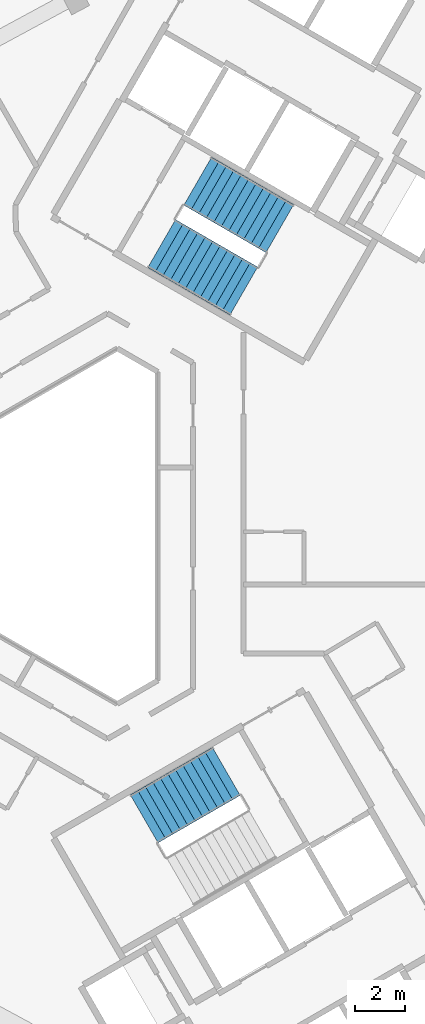
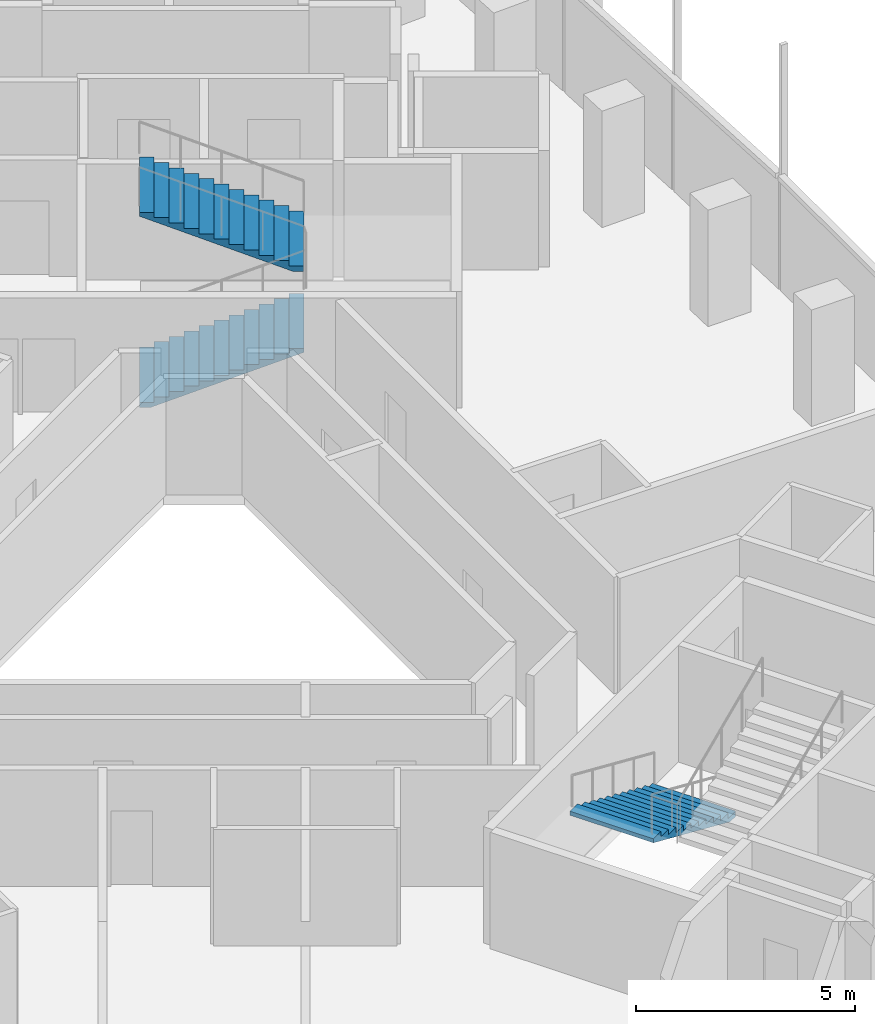
# One storey, part 11 of 14: 3 stair flights, 2 elements without a shape of their own.
"""IFC4 building model written with IfcOpenShell, lengths in metres."""

from ifc_helpers import new_model, si_unit, direction, frame, origin, place, context, subcontext, project, spatial, polyline, outline, extrude, material, type_object, element, aggregate, save


model = new_model("IFC4")

# Units and contexts
model_context = context("Model", 3, precision=1e-05, world=origin(), true_north=direction((0.0, 1.0)))
body_context = subcontext(model_context, "Body", "Model", "MODEL_VIEW")
ifc_project = project(units=[si_unit("LENGTHUNIT", "METRE"), si_unit("AREAUNIT", "SQUARE_METRE"), si_unit("VOLUMEUNIT", "CUBIC_METRE"), si_unit("PLANEANGLEUNIT", "RADIAN"), si_unit("MASSUNIT", "GRAM", prefix="KILO")], contexts=[model_context])

# Site, building, storey
site_placement = place(None, origin())
site = spatial("IfcSite", under=ifc_project, at=site_placement, CompositionType="ELEMENT")
building_placement = place(site_placement, origin())
building = spatial("IfcBuilding", under=site, at=building_placement, Name="Tamra Quay Hotel Tower", CompositionType="ELEMENT")
storey_placement = place(building_placement, frame((0.0, 0.0, 175.60009765625)))
storey = spatial("IfcBuildingStorey", under=building, at=storey_placement, Name="L43", CompositionType="ELEMENT", Elevation=175.60009765625)

# Stair, stair flights
ifc_material_1 = material(Name="Exit stair 2200 24 risers 150.0 going 342")
stair_type = type_object("IfcStairType", Name="Exit stair 2200 24 risers 150.0 going 342", PredefinedType="HALF_TURN_STAIR", material=ifc_material_1)
stair_1_placement = place(storey_placement, origin())
stair_1 = element("IfcStair", 1, at=stair_1_placement, inside=storey, type_object=stair_type, Name="L43 Exit stair ST1", PredefinedType="HALF_TURN_STAIR")
ifc_material_2 = material(Name="Exit stair flight 2200 12 risers 150.0")
stair_flight_type = type_object("IfcStairFlightType", Name="Exit stair flight 2200 12 risers 150.0", PredefinedType="STRAIGHT", material=ifc_material_2)
stair_flight_1_placement = place(storey_placement, frame((4.75927734375, 11.20361328125, 0.0), z_axis=(0.0, 0.0, 1.0), x_axis=(0.866025403784, -0.5, 0.0)))
stair_flight_1 = element("IfcStairFlight", 2, at=stair_flight_1_placement, type_object=stair_flight_type, Name="ST1 flight 1", NumberOfRisers=12, NumberOfTreads=11, PredefinedType="STRAIGHT", RiserHeight=0.15, TreadLength=0.342, context=body_context, shape_type="SweptSolid", body=[
    extrude(outline(polyline([(0.0, 0.0), (0.0, 0.14990234375), (0.342041015625, 0.14990234375), (0.342041015625, 0.300048828125), (0.68408203125, 0.300048828125), (0.68408203125, 0.449951171875), (1.02587890625, 0.449951171875), (1.02587890625, 0.60009765625), (1.367919921875, 0.60009765625), (1.367919921875, 0.75), (1.7099609375, 0.75), (1.7099609375, 0.89990234375), (2.052001953125, 0.89990234375), (2.052001953125, 1.050048828125), (2.39404296875, 1.050048828125), (2.39404296875, 1.199951171875), (2.736083984375, 1.199951171875), (2.736083984375, 1.35009765625), (3.077880859375, 1.35009765625), (3.077880859375, 1.5), (3.419921875, 1.5), (3.419921875, 1.64990234375), (3.761962890625, 1.64990234375), (3.761962890625, 1.800048828125), (3.761962890625, 1.540771484375), (0.249267578125, 0.0), (0.0, 0.0)])), frame((0.0, 1.10009765625, 0.0), z_axis=(0.0, -1.0, 0.0), x_axis=(1.0, 0.0, 0.0)), (0.0, 0.0, 1.0), 2.199951171875),
])
stair_flight_2_placement = place(storey_placement, frame((9.44677734375, 11.798583984375, 1.7998046875), z_axis=(0.0, 0.0, 1.0), x_axis=(-0.866025403784, 0.5, 0.0)))
stair_flight_2 = element("IfcStairFlight", 3, at=stair_flight_2_placement, type_object=stair_flight_type, Name="ST1 flight 2", NumberOfRisers=12, NumberOfTreads=11, PredefinedType="STRAIGHT", RiserHeight=0.15, TreadLength=0.342, context=body_context, shape_type="SweptSolid", body=[
    extrude(outline(polyline([(0.0, 0.0), (0.0, 0.14990234375), (0.342041015625, 0.14990234375), (0.342041015625, 0.300048828125), (0.68408203125, 0.300048828125), (0.68408203125, 0.449951171875), (1.02587890625, 0.449951171875), (1.02587890625, 0.60009765625), (1.367919921875, 0.60009765625), (1.367919921875, 0.75), (1.7099609375, 0.75), (1.7099609375, 0.89990234375), (2.052001953125, 0.89990234375), (2.052001953125, 1.050048828125), (2.39404296875, 1.050048828125), (2.39404296875, 1.199951171875), (2.736083984375, 1.199951171875), (2.736083984375, 1.35009765625), (3.077880859375, 1.35009765625), (3.077880859375, 1.5), (3.419921875, 1.5), (3.419921875, 1.64990234375), (3.761962890625, 1.64990234375), (3.761962890625, 1.800048828125), (3.761962890625, 1.540771484375), (0.249267578125, 0.0), (0.0, 0.0)])), frame((0.0, 1.10009765625, 0.0), z_axis=(0.0, -1.0, 0.0), x_axis=(1.0, 0.0, 0.0)), (0.0, 0.0, 1.0), 2.199951171875),
])
aggregate(stair_1, [stair_flight_1, stair_flight_2])

# Stair, stair flight
stair_2_placement = place(storey_placement, origin())
stair_2 = element("IfcStair", 4, at=stair_2_placement, inside=storey, type_object=stair_type, Name="L43 Exit stair ST2", PredefinedType="HALF_TURN_STAIR")
stair_flight_3_placement = place(storey_placement, frame((7.322998046875, -9.7236328125, 0.0), z_axis=(0.0, 0.0, 1.0), x_axis=(-0.866025403784, -0.5, 0.0)))
stair_flight_3 = element("IfcStairFlight", 5, at=stair_flight_3_placement, type_object=stair_flight_type, Name="ST2 flight 1", NumberOfRisers=12, NumberOfTreads=11, PredefinedType="STRAIGHT", RiserHeight=0.15, TreadLength=0.342, context=body_context, shape_type="SweptSolid", body=[
    extrude(outline(polyline([(0.0, 0.0), (0.0, 0.14990234375), (0.342041015625, 0.14990234375), (0.342041015625, 0.300048828125), (0.68408203125, 0.300048828125), (0.68408203125, 0.449951171875), (1.02587890625, 0.449951171875), (1.02587890625, 0.60009765625), (1.367919921875, 0.60009765625), (1.367919921875, 0.75), (1.7099609375, 0.75), (1.7099609375, 0.89990234375), (2.052001953125, 0.89990234375), (2.052001953125, 1.050048828125), (2.39404296875, 1.050048828125), (2.39404296875, 1.199951171875), (2.736083984375, 1.199951171875), (2.736083984375, 1.35009765625), (3.077880859375, 1.35009765625), (3.077880859375, 1.5), (3.419921875, 1.5), (3.419921875, 1.64990234375), (3.761962890625, 1.64990234375), (3.761962890625, 1.800048828125), (3.761962890625, 1.540771484375), (0.249267578125, 0.0), (0.0, 0.0)])), frame((0.0, 1.10009765625, 0.0), z_axis=(0.0, -1.0, 0.0), x_axis=(1.0, 0.0, 0.0)), (0.0, 0.0, 1.0), 2.199951171875),
])
aggregate(stair_2, [stair_flight_3])

save(model, "model.ifc")
